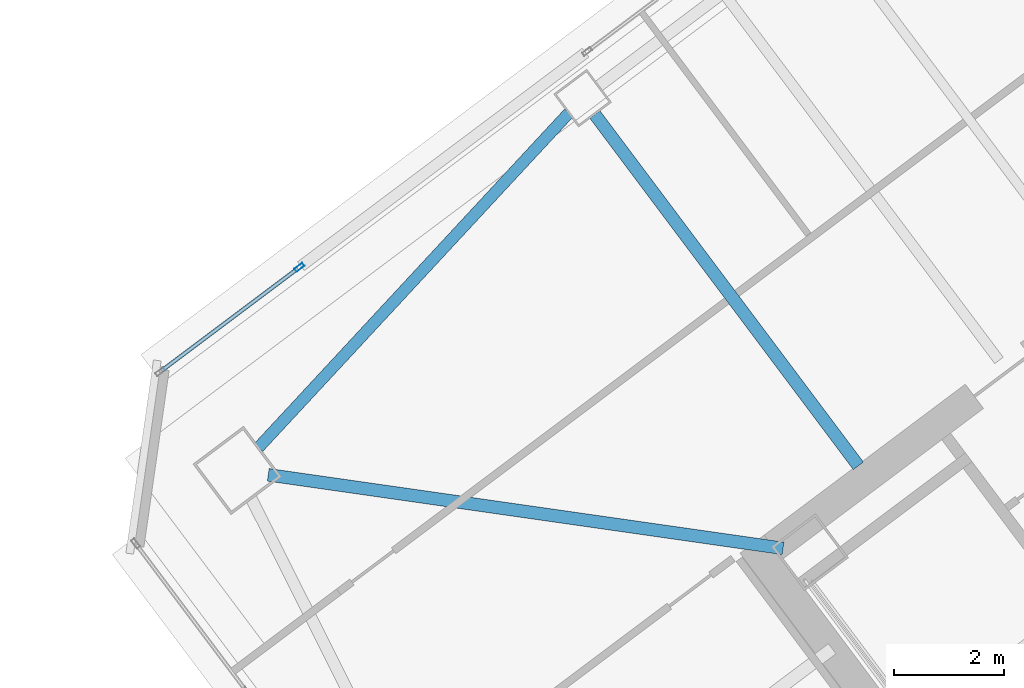
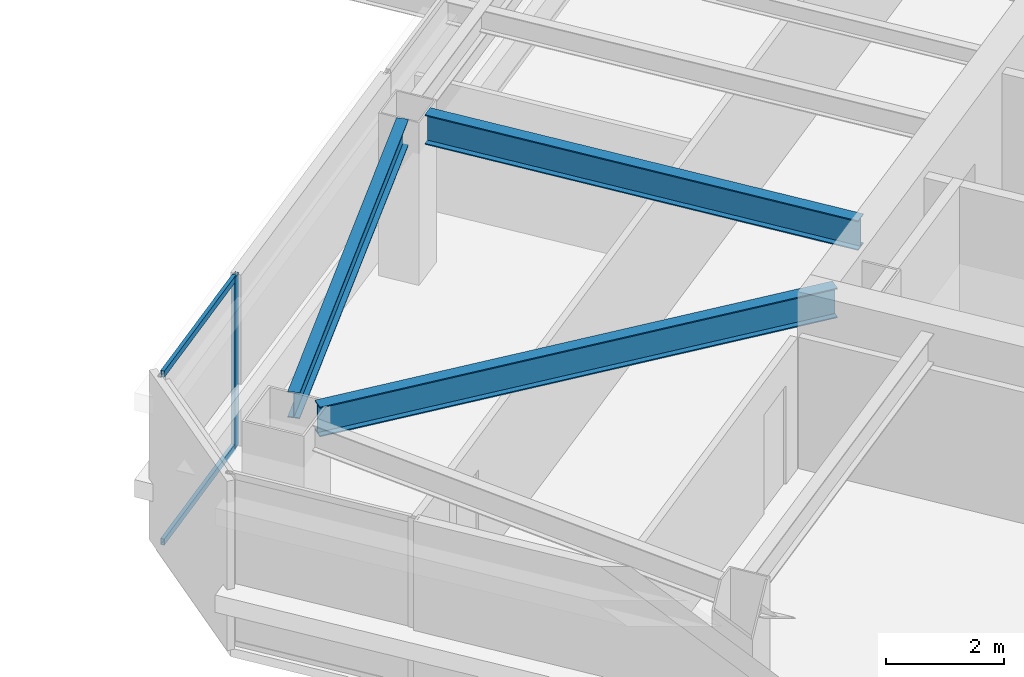
# One storey, part 19 of 41: 3 beams, 3 members, 1 element without a shape of its own.
"""IFC4 building model written with IfcOpenShell, lengths in metres."""

from ifc_helpers import new_model, si_unit, direction, frame, origin, origin_2d, place, context, subcontext, project, spatial, hollow_rectangle, i_section, extrude, material, material_profile, profile_set, type_object, element, aggregate, save


model = new_model("IFC4")

# Units and contexts
model_context = context("Model", 3, precision=1e-05, world=origin(), true_north=direction((0.0, 1.0)))
body_context = subcontext(model_context, "Body", "Model", "MODEL_VIEW")
ifc_project = project(units=[si_unit("LENGTHUNIT", "METRE"), si_unit("AREAUNIT", "SQUARE_METRE"), si_unit("VOLUMEUNIT", "CUBIC_METRE"), si_unit("PLANEANGLEUNIT", "RADIAN"), si_unit("MASSUNIT", "GRAM", prefix="KILO")], contexts=[model_context])

# Site, building, storey
site_placement = place(None, origin())
site = spatial("IfcSite", under=ifc_project, at=site_placement, CompositionType="ELEMENT")
building_placement = place(site_placement, origin())
building = spatial("IfcBuilding", under=site, at=building_placement, Name="Tashvorn Skyway Center", CompositionType="ELEMENT")
storey_placement = place(building_placement, frame((0.0, 0.0, 174.75)))
storey = spatial("IfcBuildingStorey", under=building, at=storey_placement, Name="L47", CompositionType="ELEMENT", Elevation=174.75)

# Beams
ifc_material_1 = material(Name="Steel ASTM A992 Grade 50", Category="steel")
ifc_material_profile_1 = material_profile(ifc_material_1, i_section(OverallWidth=0.22998046875, OverallDepth=0.616943359375, WebThickness=0.01318359375, FlangeThickness=0.022216796875, at=origin_2d()), Name="W24X94")
ifc_profile_set_1 = profile_set([ifc_material_profile_1], Name="Steel ASTM A992 Grade 50")
beam_type_1 = type_object("IfcBeamType", Name="BM-BEAM-W24X94", PredefinedType="BEAM", material=ifc_profile_set_1)
beam_1_placement = place(storey_placement, frame((94.26416015625, 34.8193359375, 3.0615234375), z_axis=(0.989950009213, -0.141417747326, 0.0), x_axis=(0.141417747326, 0.989950009213, 0.0)))
element("IfcBeam", 1, at=beam_1_placement, inside=storey, type_object=beam_type_1, Name="Tower 2 L47 Primary Floor Girder MC-NW", PredefinedType="BEAM", context=body_context, shape_type="SweptSolid", body=[
    extrude(i_section(OverallWidth=0.22998046875, OverallDepth=0.616943359375, WebThickness=0.01318359375, FlangeThickness=0.022216796875, at=origin_2d()), origin(), (0.0, 0.0, 1.0), 9.470947265625),
])
beam_2_placement = place(storey_placement, frame((100.2119140625, 41.384033203125, 3.0615234375), z_axis=(0.599995117266, -0.800003662027, 0.0), x_axis=(0.800003662027, 0.599995117266, 0.0)))
element("IfcBeam", 2, at=beam_2_placement, inside=storey, type_object=beam_type_1, Name="Tower 2 L47 Primary Floor Girder FC-N2", PredefinedType="BEAM", context=body_context, shape_type="SweptSolid", body=[
    extrude(i_section(OverallWidth=0.22998046875, OverallDepth=0.616943359375, WebThickness=0.01318359375, FlangeThickness=0.022216796875, at=origin_2d()), origin(), (0.0, 0.0, 1.0), 8.000244140625),
])
ifc_material_profile_2 = material_profile(ifc_material_1, i_section(OverallWidth=0.2109375, OverallDepth=0.5390625, WebThickness=0.01171875, FlangeThickness=0.018798828125, at=origin_2d()), Name="W21X73")
ifc_profile_set_2 = profile_set([ifc_material_profile_2], Name="Steel ASTM A992 Grade 50")
beam_type_2 = type_object("IfcBeamType", Name="BM-SPANDREL-W21X73", PredefinedType="SPANDREL", material=ifc_profile_set_2)
beam_3_placement = place(storey_placement, frame((99.73828125, 41.40869140625, 3.1005859375), z_axis=(-0.680119661736, -0.733101115618, 0.0), x_axis=(0.733101115618, -0.680119661736, 0.0)))
element("IfcBeam", 3, at=beam_3_placement, inside=storey, type_object=beam_type_2, Name="Tower 2 L47 Spandrel Beam 09", PredefinedType="SPANDREL", context=body_context, shape_type="SweptSolid", body=[
    extrude(i_section(OverallWidth=0.2109375, OverallDepth=0.5390625, WebThickness=0.01171875, FlangeThickness=0.018798828125, at=origin_2d()), origin(), (0.0, 0.0, 1.0), 8.308349609375),
])

# Curtain wall, members
ifc_material_2 = material(Name="Thermally broken bronze-anodized aluminium 6063-T6", Category="aluminium")
curtain_wall_type = type_object("IfcCurtainWallType", Name="CW-CW-Z4", PredefinedType="NOTDEFINED", material=ifc_material_2)
curtain_wall_placement = place(storey_placement, origin())
curtain_wall = element("IfcCurtainWall", 4, at=curtain_wall_placement, inside=storey, type_object=curtain_wall_type, Name="Tower 2 L47 North Unitised Curtain Wall Glazing Group 1", PredefinedType="NOTDEFINED")
ifc_material_profile_3 = material_profile(ifc_material_2, hollow_rectangle(XDim=0.070068359375, YDim=0.179931640625, WallThickness=0.00390625, at=origin_2d()), Name="ALU-MULL-70x180")
ifc_profile_set_3 = profile_set([ifc_material_profile_3], Name="Thermally broken bronze-anodized aluminium 6063-T6")
member_type_1 = type_object("IfcMemberType", Name="CWM-CW-Z4", PredefinedType="MULLION", material=ifc_profile_set_3)
member_1_placement = place(storey_placement, frame((94.83203125, 38.59912109375, 0.0), z_axis=(0.0, 0.0, 1.0), x_axis=(-0.600000000002, 0.799999999998, 0.0)))
member_1 = element("IfcMember", 5, at=member_1_placement, type_object=member_type_1, Name="CW-Z4 mullion 2", PredefinedType="MULLION", context=body_context, shape_type="SweptSolid", body=[
    extrude(hollow_rectangle(XDim=0.070068359375, YDim=0.179931640625, WallThickness=0.00390625, at=origin_2d()), origin(), (0.0, 0.0, 1.0), 3.550048828125),
])
ifc_material_profile_4 = material_profile(ifc_material_2, hollow_rectangle(XDim=0.070068359375, YDim=0.1298828125, WallThickness=0.00390625, at=origin_2d()), Name="ALU-TRAN-70x130")
ifc_profile_set_4 = profile_set([ifc_material_profile_4], Name="Thermally broken bronze-anodized aluminium 6063-T6")
member_type_2 = type_object("IfcMemberType", Name="CWT-CW-Z4", PredefinedType="USERDEFINED", material=ifc_profile_set_4)
member_2_placement = place(storey_placement, frame((92.323974609375, 36.718017578125, 0.034912109375), z_axis=(0.800018901408, 0.599974797295, 0.0), x_axis=(-0.599974797295, 0.800018901408, 0.0)))
member_2 = element("IfcMember", 6, at=member_2_placement, type_object=member_type_2, Name="CW-Z4 transom 1.1", ObjectType="TRANSOM", PredefinedType="USERDEFINED", context=body_context, shape_type="SweptSolid", body=[
    extrude(hollow_rectangle(XDim=0.070068359375, YDim=0.1298828125, WallThickness=0.00390625, at=origin_2d()), origin(), (0.0, 0.0, 1.0), 3.099853515625),
])
member_3_placement = place(storey_placement, frame((92.323974609375, 36.718017578125, 3.514892578125), z_axis=(0.800018901408, 0.599974797295, 0.0), x_axis=(-0.599974797295, 0.800018901408, 0.0)))
member_3 = element("IfcMember", 7, at=member_3_placement, type_object=member_type_2, Name="CW-Z4 transom 1.2", ObjectType="TRANSOM", PredefinedType="USERDEFINED", context=body_context, shape_type="SweptSolid", body=[
    extrude(hollow_rectangle(XDim=0.070068359375, YDim=0.1298828125, WallThickness=0.00390625, at=origin_2d()), origin(), (0.0, 0.0, 1.0), 3.099853515625),
])
aggregate(curtain_wall, [member_1, member_2, member_3])

save(model, "model.ifc")
